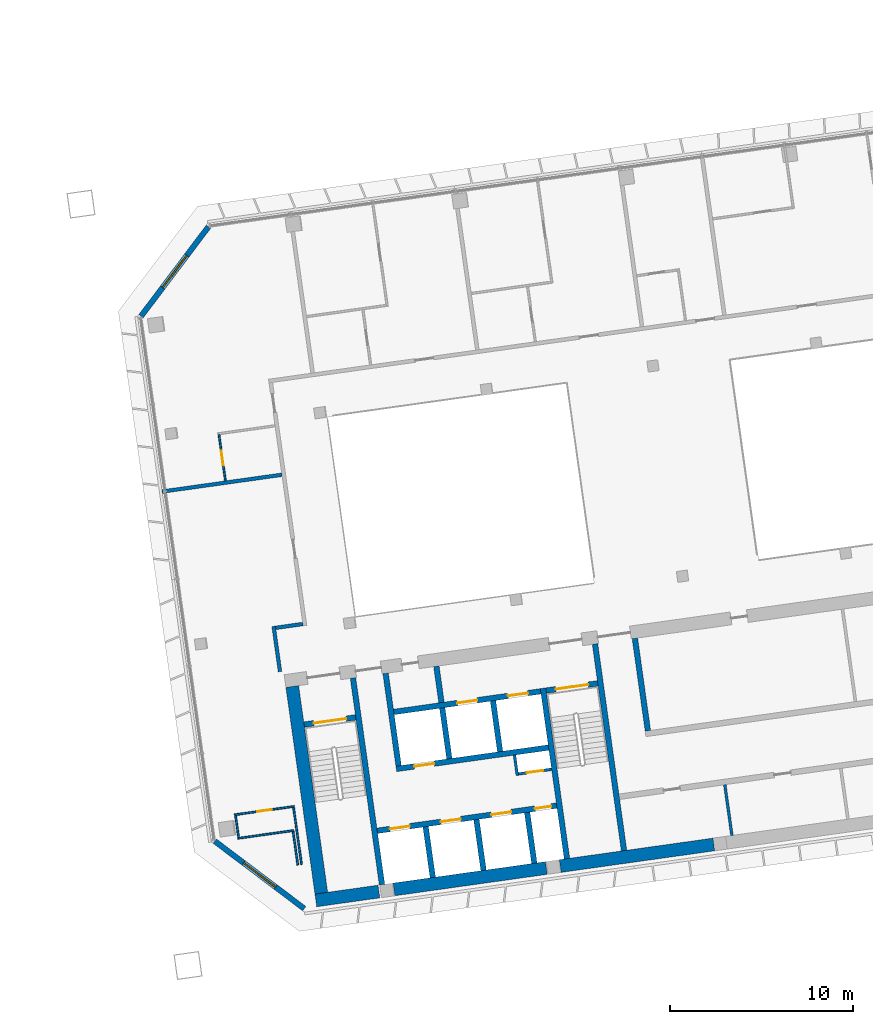
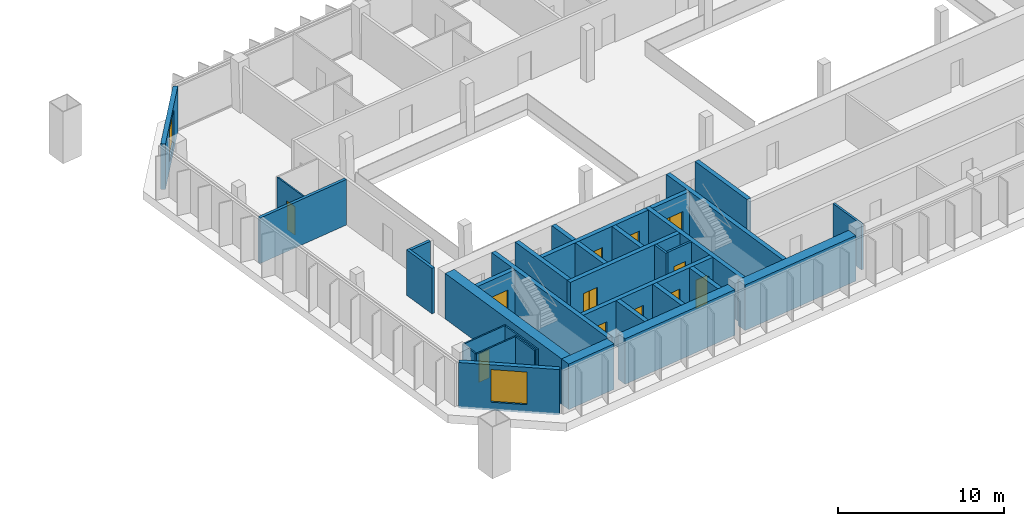
# One storey, part 19 of 25: 34 walls, 12 doors, 2 windows, 14 openings.
"""IFC4 building model written with IfcOpenShell, lengths in metres."""

from ifc_helpers import new_model, si_unit, direction, frame, frame_2d, origin, place, context, subcontext, project, spatial, rectangle, extrude, material, layer, layer_set, type_object, element, fill, save


model = new_model("IFC4")

# Units and contexts
model_context = context("Model", 3, precision=1e-05, world=origin(), true_north=direction((0.0, 1.0)))
body_context = subcontext(model_context, "Body", "Model", "MODEL_VIEW")
ifc_project = project(units=[si_unit("LENGTHUNIT", "METRE"), si_unit("AREAUNIT", "SQUARE_METRE"), si_unit("VOLUMEUNIT", "CUBIC_METRE"), si_unit("PLANEANGLEUNIT", "RADIAN"), si_unit("MASSUNIT", "GRAM", prefix="KILO")], contexts=[model_context])

# Site, building, storey
site_placement = place(None, origin())
site = spatial("IfcSite", under=ifc_project, at=site_placement, CompositionType="ELEMENT")
building_placement = place(site_placement, origin())
building = spatial("IfcBuilding", under=site, at=building_placement, Name="Mirante Cascada Hotel Towers", CompositionType="ELEMENT")
storey_placement = place(building_placement, frame((0.0, 0.0, 172.6)))
storey = spatial("IfcBuildingStorey", under=building, at=storey_placement, Name="L40", CompositionType="ELEMENT", Elevation=172.6)

# Walls
ifc_material_1 = material(Name="Fire-rated plasterboard on metal studs")
ifc_layer_1 = layer(ifc_material_1, 0.2)
ifc_layer_set_1 = layer_set([ifc_layer_1], Name="Compartment wall 200 EI 120")
wall_type_1 = type_object("IfcWallType", Name="Compartment wall 200 EI 120", PredefinedType="PARTITIONING", material=ifc_layer_set_1)
wall_1_placement = place(storey_placement, frame((35.0284, -4.7267, 0.0), z_axis=(0.0, 0.0, 1.0), x_axis=(0.9902735, 0.1391343, 0.0)))
element("IfcWall", 1, at=wall_1_placement, inside=storey, type_object=wall_type_1, Name="Wall 2-L40-05", PredefinedType="PARTITIONING", context=body_context, shape_type="SweptSolid", body=[
    extrude(rectangle(XDim=1.5, YDim=0.2, at=frame_2d((0.75, 0.0))), origin(), (0.0, 0.0, 1.0), 3.35),
])
wall_2_placement = place(storey_placement, frame((35.368, 3.6352, 0.0), z_axis=(0.0, 0.0, 1.0), x_axis=(-0.9902678, -0.1391748, 0.0)))
element("IfcWall", 2, at=wall_2_placement, inside=storey, type_object=wall_type_1, Name="Wall 2-L40-10", PredefinedType="PARTITIONING", context=body_context, shape_type="SweptSolid", body=[
    extrude(rectangle(XDim=6.6068, YDim=0.2, at=frame_2d((3.3034, 0.0))), origin(), (0.0, 0.0, 1.0), 3.35),
])
wall_3_placement = place(storey_placement, frame((35.2634, -7.1173, 0.0), z_axis=(0.0, 0.0, 1.0), x_axis=(-0.1391586, 0.9902701, 0.0)))
element("IfcWall", 3, at=wall_3_placement, inside=storey, type_object=wall_type_1, Name="Wall 2-L40-25", PredefinedType="PARTITIONING", context=body_context, shape_type="SweptSolid", body=[
    extrude(rectangle(XDim=2.5, YDim=0.2, at=frame_2d((1.25, 0.0))), origin(), (0.0, 0.0, 1.0), 3.35),
])
ifc_material_2 = material(Name="Masonry block", Category="masonry")
ifc_layer_2 = layer(ifc_material_2, 0.15)
ifc_layer_set_2 = layer_set([ifc_layer_2], Name="Core room partition 150 block EI 30")
wall_type_2 = type_object("IfcWallType", Name="Core room partition 150 block EI 30", PredefinedType="PARTITIONING", material=ifc_layer_set_2)
wall_4_placement = place(storey_placement, frame((48.2295, -12.793, 0.0), z_axis=(0.0, 0.0, 1.0), x_axis=(-0.1391935, 0.9902652, 0.0)))
element("IfcWall", 4, at=wall_4_placement, inside=storey, type_object=wall_type_2, Name="Core wall partition T2 L40 2", PredefinedType="PARTITIONING", context=body_context, shape_type="SweptSolid", body=[
    extrude(rectangle(XDim=1.1251, YDim=0.15, at=frame_2d((0.5626, 0.0))), origin(), (0.0, 0.0, 1.0), 3.35),
])

# Wall, opening, door
wall_5_placement = place(storey_placement, frame((48.2933, -12.7083, 0.0), z_axis=(0.0, 0.0, 1.0), x_axis=(0.990268, 0.1391734, 0.0)))
wall_5 = element("IfcWall", 5, at=wall_5_placement, inside=storey, type_object=wall_type_2, Name="Core wall partition T2 L40 3", PredefinedType="PARTITIONING", context=body_context, shape_type="SweptSolid", body=[
    extrude(rectangle(XDim=1.8251, YDim=0.15, at=frame_2d((0.9126, 0.0))), origin(), (0.0, 0.0, 1.0), 3.35),
])
opening_1_placement = place(wall_5_placement, frame((0.4625, 0.0, 0.0)))
opening_1 = element("IfcOpeningElement", 6, at=opening_1_placement, cuts=wall_5, Name="Opening D2-40-C17", PredefinedType="OPENING", context=body_context, shape_type="SweptSolid", body=[
    extrude(rectangle(XDim=0.9, YDim=2.1, at=frame_2d((0.45, 1.05))), frame((0.0, 0.075, 0.0), z_axis=(0.0, -1.0, 0.0), x_axis=(1.0, 0.0, 0.0)), (0.0, 0.0, 1.0), 0.15),
])
ifc_material_3 = material(Name="Hollow metal fire door leaf")
door_type_1 = type_object("IfcDoorType", Name="Fire door 900x2100 FD60", OperationType="NOTDEFINED", PredefinedType="DOOR", material=ifc_material_3)
door_1_placement = place(opening_1_placement, frame((0.9, 0.0, 0.0), z_axis=(0.0, 0.0, 1.0), x_axis=(-1.0, 0.0, 0.0)))
door_1 = element("IfcDoor", 7, at=door_1_placement, inside=storey, type_object=door_type_1, Name="Riser door T2 L40 17", OperationType="SINGLE_SWING_RIGHT", OverallHeight=2.1, OverallWidth=0.9, PredefinedType="DOOR", context=body_context, shape_type="SweptSolid", body=[
    extrude(rectangle(XDim=0.9, YDim=2.1, at=frame_2d((0.45, 1.05))), frame((0.0, 0.025, 0.0), z_axis=(0.0, -1.0, 0.0), x_axis=(1.0, 0.0, 0.0)), (0.0, 0.0, 1.0), 0.05),
])
fill(opening_1, door_1)

# Walls
wall_6_placement = place(storey_placement, frame((59.9495, -16.0688, 0.0), z_axis=(0.0, 0.0, 1.0), x_axis=(-0.139176, 0.9902677, 0.0)))
element("IfcWall", 8, at=wall_6_placement, inside=storey, type_object=wall_type_2, Name="Core wall partition T2 L40 5", PredefinedType="PARTITIONING", context=body_context, shape_type="SweptSolid", body=[
    extrude(rectangle(XDim=2.8001, YDim=0.15, at=frame_2d((1.4, 0.0))), origin(), (0.0, 0.0, 1.0), 3.35),
])
ifc_material_4 = material(Name="Masonry block", Category="masonry")
ifc_layer_3 = layer(ifc_material_4, 0.3)
ifc_layer_set_3 = layer_set([ifc_layer_3], Name="Core wall 300 block EI 120")
wall_type_3 = type_object("IfcWallType", Name="Core wall 300 block EI 120", PredefinedType="PARTITIONING", material=ifc_layer_set_3)
wall_7_placement = place(storey_placement, frame((44.0843, -8.8061, 0.0), z_axis=(0.0, 0.0, 1.0), x_axis=(-0.1391951, 0.990265, 0.0)))
element("IfcWall", 9, at=wall_7_placement, inside=storey, type_object=wall_type_3, Name="Core wall partition T2 L40 1", PredefinedType="PARTITIONING", context=body_context, shape_type="SweptSolid", body=[
    extrude(rectangle(XDim=2.0001, YDim=0.3, at=frame_2d((1.0001, 0.0))), origin(), (0.0, 0.0, 1.0), 3.35),
])
ifc_material_5 = material(Name="Plasterboard on metal studs")
ifc_layer_4 = layer(ifc_material_5, 0.1)
ifc_layer_set_4 = layer_set([ifc_layer_4], Name="Partition 100")
wall_type_4 = type_object("IfcWallType", Name="Partition 100", PredefinedType="PARTITIONING", material=ifc_layer_set_4)
wall_8_placement = place(storey_placement, frame((32.9588, -16.2267, 0.0), z_axis=(0.0, 0.0, 1.0), x_axis=(0.9902677, 0.1391761, 0.0)))
element("IfcWall", 10, at=wall_8_placement, inside=storey, type_object=wall_type_4, Name="Wall 2-L40-01", PredefinedType="PARTITIONING", context=body_context, shape_type="SweptSolid", body=[
    extrude(rectangle(XDim=3.0932, YDim=0.1, at=frame_2d((1.5466, 0.0))), origin(), (0.0, 0.0, 1.0), 3.35),
])

# Wall, opening, door
wall_9_placement = place(storey_placement, frame((32.7778, -14.9393, 0.0), z_axis=(0.0, 0.0, 1.0), x_axis=(0.9902711, 0.1391513, 0.0)))
wall_9 = element("IfcWall", 11, at=wall_9_placement, inside=storey, type_object=wall_type_4, Name="Wall 2-L40-03", PredefinedType="PARTITIONING", context=body_context, shape_type="SweptSolid", body=[
    extrude(rectangle(XDim=3.3, YDim=0.1, at=frame_2d((1.65, 0.0))), origin(), (0.0, 0.0, 1.0), 3.35),
])
opening_2_placement = place(wall_9_placement, frame((1.25, 0.0, 0.0)))
opening_2 = element("IfcOpeningElement", 12, at=opening_2_placement, cuts=wall_9, Name="Opening D2-L40-01", PredefinedType="OPENING", context=body_context, shape_type="SweptSolid", body=[
    extrude(rectangle(XDim=0.8, YDim=2.1, at=frame_2d((0.4, 1.05))), frame((0.0, 0.05, 0.0), z_axis=(0.0, -1.0, 0.0), x_axis=(1.0, 0.0, 0.0)), (0.0, 0.0, 1.0), 0.1),
])
ifc_material_6 = material(Name="Timber door leaf", Category="wood")
door_type_2 = type_object("IfcDoorType", Name="Bathroom door DG4 800x2100", OperationType="SINGLE_SWING_LEFT", PredefinedType="DOOR", material=ifc_material_6)
door_2_placement = place(opening_2_placement, origin())
door_2 = element("IfcDoor", 13, at=door_2_placement, inside=storey, type_object=door_type_2, Name="Door D2-L40-01", OperationType="SINGLE_SWING_LEFT", OverallHeight=2.1, OverallWidth=0.8, PredefinedType="DOOR", context=body_context, shape_type="SweptSolid", body=[
    extrude(rectangle(XDim=0.8, YDim=2.1, at=frame_2d((0.4, 1.05))), frame((0.0, 0.025, 0.0), z_axis=(0.0, -1.0, 0.0), x_axis=(1.0, 0.0, 0.0)), (0.0, 0.0, 1.0), 0.05),
])
fill(opening_2, door_2)

# Wall
wall_10_placement = place(storey_placement, frame((33.0013, -16.1702, 0.0), z_axis=(0.0, 0.0, 1.0), x_axis=(-0.1391693, 0.9902686, 0.0)))
element("IfcWall", 14, at=wall_10_placement, inside=storey, type_object=wall_type_4, Name="Wall 2-L40-21", PredefinedType="PARTITIONING", context=body_context, shape_type="SweptSolid", body=[
    extrude(rectangle(XDim=1.2, YDim=0.1, at=frame_2d((0.6, 0.0))), origin(), (0.0, 0.0, 1.0), 3.35),
])

# Wall, opening, door
wall_11_placement = place(storey_placement, frame((31.9293, 5.828, 0.0), z_axis=(0.0, 0.0, 1.0), x_axis=(0.1391755, -0.9902677, 0.0)))
wall_11 = element("IfcWall", 15, at=wall_11_placement, inside=storey, type_object=wall_type_4, Name="Wall 2-L40-22", PredefinedType="PARTITIONING", context=body_context, shape_type="SweptSolid", body=[
    extrude(rectangle(XDim=2.55, YDim=0.1, at=frame_2d((1.275, 0.0))), origin(), (0.0, 0.0, 1.0), 3.35),
])
opening_3_placement = place(wall_11_placement, frame((0.9, 0.0, 0.0)))
opening_3 = element("IfcOpeningElement", 16, at=opening_3_placement, cuts=wall_11, Name="Opening D2-L40-16", PredefinedType="OPENING", context=body_context, shape_type="SweptSolid", body=[
    extrude(rectangle(XDim=0.8, YDim=2.1, at=frame_2d((0.4, 1.05))), frame((0.0, 0.05, 0.0), z_axis=(0.0, -1.0, 0.0), x_axis=(1.0, 0.0, 0.0)), (0.0, 0.0, 1.0), 0.1),
])
door_3_placement = place(opening_3_placement, origin())
door_3 = element("IfcDoor", 17, at=door_3_placement, inside=storey, type_object=door_type_2, Name="Door D2-L40-16", OperationType="SINGLE_SWING_LEFT", OverallHeight=2.1, OverallWidth=0.8, PredefinedType="DOOR", context=body_context, shape_type="SweptSolid", body=[
    extrude(rectangle(XDim=0.8, YDim=2.1, at=frame_2d((0.4, 1.05))), frame((0.0, 0.025, 0.0), z_axis=(0.0, -1.0, 0.0), x_axis=(1.0, 0.0, 0.0)), (0.0, 0.0, 1.0), 0.05),
])
fill(opening_3, door_3)

# Walls
wall_12_placement = place(storey_placement, frame((36.2368, -17.6847, 0.0), z_axis=(0.0, 0.0, 1.0), x_axis=(-0.1391886, 0.9902659, 0.0)))
element("IfcWall", 18, at=wall_12_placement, inside=storey, type_object=wall_type_4, Name="Wall 2-L40-23", PredefinedType="PARTITIONING", context=body_context, shape_type="SweptSolid", body=[
    extrude(rectangle(XDim=1.85, YDim=0.1, at=frame_2d((0.925, 0.0))), origin(), (0.0, 0.0, 1.0), 3.35),
])
wall_13_placement = place(storey_placement, frame((36.0032, -14.5365, 0.0), z_axis=(0.0, 0.0, 1.0), x_axis=(0.1391721, -0.9902682, 0.0)))
element("IfcWall", 19, at=wall_13_placement, inside=storey, type_object=wall_type_4, Name="Wall 2-L40-24", PredefinedType="PARTITIONING", context=body_context, shape_type="SweptSolid", body=[
    extrude(rectangle(XDim=3.1501, YDim=0.1, at=frame_2d((1.575, 0.0))), origin(), (0.0, 0.0, 1.0), 3.35),
])

# Wall, opening, window
ifc_material_7 = material(Name="Precast concrete C40/50", Category="concrete")
ifc_layer_5 = layer(ifc_material_7, 0.3)
ifc_layer_set_5 = layer_set([ifc_layer_5], Name="Precast concrete C40/50 cladding wall 300")
wall_type_5 = type_object("IfcWallType", Name="Precast concrete C40/50 cladding wall 300", PredefinedType="STANDARD", material=ifc_layer_set_5)
wall_14_placement = place(storey_placement, frame((31.3552, 17.1814, 0.0), z_axis=(0.0, 0.0, 1.0), x_axis=(-0.6018141, -0.7986362, 0.0)))
wall_14 = element("IfcWall", 20, at=wall_14_placement, inside=storey, type_object=wall_type_5, Name="Corner cladding wall T2 L40 front inner", PredefinedType="STANDARD", context=body_context, shape_type="SweptSolid", body=[
    extrude(rectangle(XDim=6.1157, YDim=0.3, at=frame_2d((3.0578, 0.0))), origin(), (0.0, 0.0, 1.0), 3.35),
])
opening_4_placement = place(wall_14_placement, frame((1.9578, 0.0, 0.6)))
opening_4 = element("IfcOpeningElement", 21, at=opening_4_placement, cuts=wall_14, Name="Opening W2-40-03", PredefinedType="OPENING", context=body_context, shape_type="SweptSolid", body=[
    extrude(rectangle(XDim=2.2, YDim=2.4, at=frame_2d((1.1, 1.2))), frame((0.0, 0.15, 0.0), z_axis=(0.0, -1.0, 0.0), x_axis=(1.0, 0.0, 0.0)), (0.0, 0.0, 1.0), 0.3),
])
ifc_material_8 = material(Name="Aluminium frame with clear double glazing", Category="aluminium")
window_type = type_object("IfcWindowType", Name="Corner suite window 2200x2400", PartitioningType="DOUBLE_PANEL_VERTICAL", PredefinedType="WINDOW", material=ifc_material_8)
window_1_placement = place(opening_4_placement, origin())
window_1 = element("IfcWindow", 22, at=window_1_placement, inside=storey, type_object=window_type, Name="Window W2-40-03", OverallHeight=2.4, OverallWidth=2.2, PartitioningType="SINGLE_PANEL", PredefinedType="WINDOW", context=body_context, shape_type="SweptSolid", body=[
    extrude(rectangle(XDim=2.2, YDim=2.4, at=frame_2d((1.1, 1.2))), frame((0.0, 0.03, 0.0), z_axis=(0.0, -1.0, 0.0), x_axis=(1.0, 0.0, 0.0)), (0.0, 0.0, 1.0), 0.06),
])
fill(opening_4, window_1)

wall_15_placement = place(storey_placement, frame((31.7056, -16.3843, 0.0), z_axis=(0.0, 0.0, 1.0), x_axis=(0.7986362, -0.6018141, 0.0)))
wall_15 = element("IfcWall", 23, at=wall_15_placement, inside=storey, type_object=wall_type_5, Name="Corner cladding wall T2 L40 inner rear", PredefinedType="STANDARD", context=body_context, shape_type="SweptSolid", body=[
    extrude(rectangle(XDim=6.1157, YDim=0.3, at=frame_2d((3.0578, 0.0))), origin(), (0.0, 0.0, 1.0), 3.35),
])
opening_5_placement = place(wall_15_placement, frame((1.9578, 0.0, 0.6)))
opening_5 = element("IfcOpeningElement", 24, at=opening_5_placement, cuts=wall_15, Name="Opening W2-40-04", PredefinedType="OPENING", context=body_context, shape_type="SweptSolid", body=[
    extrude(rectangle(XDim=2.2, YDim=2.4, at=frame_2d((1.1, 1.2))), frame((0.0, 0.15, 0.0), z_axis=(0.0, -1.0, 0.0), x_axis=(1.0, 0.0, 0.0)), (0.0, 0.0, 1.0), 0.3),
])
window_2_placement = place(opening_5_placement, origin())
window_2 = element("IfcWindow", 25, at=window_2_placement, inside=storey, type_object=window_type, Name="Window W2-40-04", OverallHeight=2.4, OverallWidth=2.2, PartitioningType="SINGLE_PANEL", PredefinedType="WINDOW", context=body_context, shape_type="SweptSolid", body=[
    extrude(rectangle(XDim=2.2, YDim=2.4, at=frame_2d((1.1, 1.2))), frame((0.0, 0.03, 0.0), z_axis=(0.0, -1.0, 0.0), x_axis=(1.0, 0.0, 0.0)), (0.0, 0.0, 1.0), 0.06),
])
fill(opening_5, window_2)

# Walls
ifc_material_9 = material(Name="Concrete C50/60", Category="concrete")
ifc_layer_6 = layer(ifc_material_9, 0.3)
ifc_layer_set_6 = layer_set([ifc_layer_6], Name="RC core wall 300 C50/60")
wall_type_6 = type_object("IfcWallType", Name="RC core wall 300 C50/60", PredefinedType="SHEAR", material=ifc_layer_set_6)
wall_16_placement = place(storey_placement, frame((40.8373, -18.7548, 0.0), z_axis=(0.0, 0.0, 1.0), x_axis=(-0.1391749, 0.9902678, 0.0)))
element("IfcWall", 26, at=wall_16_placement, inside=storey, type_object=wall_type_6, Name="Core wall T2:L40:5", PredefinedType="SHEAR", context=body_context, shape_type="SweptSolid", body=[
    extrude(rectangle(XDim=11.4, YDim=0.3, at=frame_2d((5.7, 0.0))), origin(), (0.0, 0.0, 1.0), 3.35),
])
wall_17_placement = place(storey_placement, frame((50.938, -17.3352, 0.0), z_axis=(0.0, 0.0, 1.0), x_axis=(-0.1391706, 0.9902684, 0.0)))
element("IfcWall", 27, at=wall_17_placement, inside=storey, type_object=wall_type_6, Name="Core wall T2:L40:6", PredefinedType="SHEAR", context=body_context, shape_type="SweptSolid", body=[
    extrude(rectangle(XDim=9.4, YDim=0.3, at=frame_2d((4.7, 0.0))), origin(), (0.0, 0.0, 1.0), 3.35),
])
wall_18_placement = place(storey_placement, frame((54.0574, -16.8968, 0.0), z_axis=(0.0, 0.0, 1.0), x_axis=(-0.1391761, 0.9902677, 0.0)))
element("IfcWall", 28, at=wall_18_placement, inside=storey, type_object=wall_type_6, Name="Core wall T2:L40:7", PredefinedType="SHEAR", context=body_context, shape_type="SweptSolid", body=[
    extrude(rectangle(XDim=11.3999, YDim=0.3, at=frame_2d((5.7, 0.0))), origin(), (0.0, 0.0, 1.0), 3.35),
])

# Wall, opening, door
wall_19_placement = place(storey_placement, frame((36.5791, -10.0123, 0.0), z_axis=(0.0, 0.0, 1.0), x_axis=(0.9902704, 0.1391564, 0.0)))
wall_19 = element("IfcWall", 29, at=wall_19_placement, inside=storey, type_object=wall_type_6, Name="Core wall T2:L40:9", PredefinedType="SHEAR", context=body_context, shape_type="SweptSolid", body=[
    extrude(rectangle(XDim=2.85, YDim=0.3, at=frame_2d((1.425, 0.0))), origin(), (0.0, 0.0, 1.0), 3.35),
])
opening_6_placement = place(wall_19_placement, frame((0.525, 0.0, 0.0)))
opening_6 = element("IfcOpeningElement", 30, at=opening_6_placement, cuts=wall_19, Name="Opening D2-40-C07", PredefinedType="OPENING", context=body_context, shape_type="SweptSolid", body=[
    extrude(rectangle(XDim=1.8, YDim=2.1, at=frame_2d((0.9, 1.05))), frame((0.0, 0.15, 0.0), z_axis=(0.0, -1.0, 0.0), x_axis=(1.0, 0.0, 0.0)), (0.0, 0.0, 1.0), 0.3),
])
ifc_material_10 = material(Name="Hollow metal fire door leaf")
door_type_3 = type_object("IfcDoorType", Name="Double fire door 1800x2100 FD60", OperationType="DOUBLE_DOOR_SINGLE_SWING", PredefinedType="DOOR", material=ifc_material_10)
door_4_placement = place(opening_6_placement, frame((1.8, 0.0, 0.0), z_axis=(0.0, 0.0, 1.0), x_axis=(-1.0, 0.0, 0.0)))
door_4 = element("IfcDoor", 31, at=door_4_placement, inside=storey, type_object=door_type_3, Name="Stair door T2 L40 7", OperationType="DOUBLE_DOOR_SINGLE_SWING", OverallHeight=2.1, OverallWidth=1.8, PredefinedType="DOOR", context=body_context, shape_type="SweptSolid", body=[
    extrude(rectangle(XDim=0.895, YDim=2.1, at=frame_2d((0.4475, 1.05))), frame((0.0, 0.025, 0.0), z_axis=(0.0, -1.0, 0.0), x_axis=(1.0, 0.0, 0.0)), (0.0, 0.0, 1.0), 0.05),
    extrude(rectangle(XDim=0.895, YDim=2.1, at=frame_2d((1.3525, 1.05))), frame((0.0, 0.025, 0.0), z_axis=(0.0, -1.0, 0.0), x_axis=(1.0, 0.0, 0.0)), (0.0, 0.0, 1.0), 0.05),
])
fill(opening_6, door_4)

wall_20_placement = place(storey_placement, frame((49.7992, -8.1544, 0.0), z_axis=(0.0, 0.0, 1.0), x_axis=(0.9902656, 0.1391909, 0.0)))
wall_20 = element("IfcWall", 32, at=wall_20_placement, inside=storey, type_object=wall_type_6, Name="Core wall T2:L40:10", PredefinedType="SHEAR", context=body_context, shape_type="SweptSolid", body=[
    extrude(rectangle(XDim=2.85, YDim=0.3, at=frame_2d((1.425, 0.0))), origin(), (0.0, 0.0, 1.0), 3.35),
])
opening_7_placement = place(wall_20_placement, frame((0.525, 0.0, 0.0)))
opening_7 = element("IfcOpeningElement", 33, at=opening_7_placement, cuts=wall_20, Name="Opening D2-40-C09", PredefinedType="OPENING", context=body_context, shape_type="SweptSolid", body=[
    extrude(rectangle(XDim=1.8, YDim=2.1, at=frame_2d((0.9, 1.05))), frame((0.0, 0.15, 0.0), z_axis=(0.0, -1.0, 0.0), x_axis=(1.0, 0.0, 0.0)), (0.0, 0.0, 1.0), 0.3),
])
door_5_placement = place(opening_7_placement, frame((1.8, 0.0, 0.0), z_axis=(0.0, 0.0, 1.0), x_axis=(-1.0, 0.0, 0.0)))
door_5 = element("IfcDoor", 34, at=door_5_placement, inside=storey, type_object=door_type_3, Name="Stair door T2 L40 9", OperationType="DOUBLE_DOOR_SINGLE_SWING", OverallHeight=2.1, OverallWidth=1.8, PredefinedType="DOOR", context=body_context, shape_type="SweptSolid", body=[
    extrude(rectangle(XDim=0.895, YDim=2.1, at=frame_2d((0.4475, 1.05))), frame((0.0, 0.025, 0.0), z_axis=(0.0, -1.0, 0.0), x_axis=(1.0, 0.0, 0.0)), (0.0, 0.0, 1.0), 0.05),
    extrude(rectangle(XDim=0.895, YDim=2.1, at=frame_2d((1.3525, 1.05))), frame((0.0, 0.025, 0.0), z_axis=(0.0, -1.0, 0.0), x_axis=(1.0, 0.0, 0.0)), (0.0, 0.0, 1.0), 0.05),
])
fill(opening_7, door_5)

# Wall, openings, doors
wall_21_placement = place(storey_placement, frame((40.5753, -15.8126, 0.0), z_axis=(0.0, 0.0, 1.0), x_axis=(0.9902682, 0.1391725, 0.0)))
wall_21 = element("IfcWall", 35, at=wall_21_placement, inside=storey, type_object=wall_type_6, Name="Core wall T2:L40:12", PredefinedType="SHEAR", context=body_context, shape_type="SweptSolid", body=[
    extrude(rectangle(XDim=9.8999, YDim=0.3, at=frame_2d((4.95, 0.0))), origin(), (0.0, 0.0, 1.0), 3.35),
])
opening_8_placement = place(wall_21_placement, frame((0.7, 0.0, 0.0)))
opening_8 = element("IfcOpeningElement", 36, at=opening_8_placement, cuts=wall_21, Name="Opening LD", PredefinedType="OPENING", context=body_context, shape_type="SweptSolid", body=[
    extrude(rectangle(XDim=1.1, YDim=2.1, at=frame_2d((0.55, 1.05))), frame((0.0, 0.15, 0.0), z_axis=(0.0, -1.0, 0.0), x_axis=(1.0, 0.0, 0.0)), (0.0, 0.0, 1.0), 0.3),
])
opening_9_placement = place(wall_21_placement, frame((3.5, 0.0, 0.0)))
opening_9 = element("IfcOpeningElement", 37, at=opening_9_placement, cuts=wall_21, Name="Opening LD", PredefinedType="OPENING", context=body_context, shape_type="SweptSolid", body=[
    extrude(rectangle(XDim=1.1, YDim=2.1, at=frame_2d((0.55, 1.05))), frame((0.0, 0.15, 0.0), z_axis=(0.0, -1.0, 0.0), x_axis=(1.0, 0.0, 0.0)), (0.0, 0.0, 1.0), 0.3),
])
opening_10_placement = place(wall_21_placement, frame((6.3, 0.0, 0.0)))
opening_10 = element("IfcOpeningElement", 38, at=opening_10_placement, cuts=wall_21, Name="Opening LD", PredefinedType="OPENING", context=body_context, shape_type="SweptSolid", body=[
    extrude(rectangle(XDim=1.1, YDim=2.1, at=frame_2d((0.55, 1.05))), frame((0.0, 0.15, 0.0), z_axis=(0.0, -1.0, 0.0), x_axis=(1.0, 0.0, 0.0)), (0.0, 0.0, 1.0), 0.3),
])
opening_11_placement = place(wall_21_placement, frame((8.7, 0.0, 0.0)))
opening_11 = element("IfcOpeningElement", 39, at=opening_11_placement, cuts=wall_21, Name="Opening D2-40-C16", PredefinedType="OPENING", context=body_context, shape_type="SweptSolid", body=[
    extrude(rectangle(XDim=0.9, YDim=2.1, at=frame_2d((0.45, 1.05))), frame((0.0, 0.15, 0.0), z_axis=(0.0, -1.0, 0.0), x_axis=(1.0, 0.0, 0.0)), (0.0, 0.0, 1.0), 0.3),
])
door_6_placement = place(opening_11_placement, frame((0.9, 0.0, 0.0), z_axis=(0.0, 0.0, 1.0), x_axis=(-1.0, 0.0, 0.0)))
door_6 = element("IfcDoor", 40, at=door_6_placement, inside=storey, type_object=door_type_1, Name="Riser door T2 L40 16", OperationType="SINGLE_SWING_RIGHT", OverallHeight=2.1, OverallWidth=0.9, PredefinedType="DOOR", context=body_context, shape_type="SweptSolid", body=[
    extrude(rectangle(XDim=0.9, YDim=2.1, at=frame_2d((0.45, 1.05))), frame((0.0, 0.025, 0.0), z_axis=(0.0, -1.0, 0.0), x_axis=(1.0, 0.0, 0.0)), (0.0, 0.0, 1.0), 0.05),
])
fill(opening_11, door_6)
ifc_material_11 = material(Name="Stainless steel", Category="steel")
door_type_4 = type_object("IfcDoorType", Name="Lift landing door 1100x2100 EI 120", OperationType="DOUBLE_DOOR_SLIDING", PredefinedType="DOOR", material=ifc_material_11)
door_7_placement = place(opening_8_placement, origin())
door_7 = element("IfcDoor", 41, at=door_7_placement, inside=storey, type_object=door_type_4, Name="Lift landing door HR2-1 L40", OperationType="DOUBLE_DOOR_SLIDING", OverallHeight=2.1, OverallWidth=1.1, PredefinedType="DOOR", context=body_context, shape_type="SweptSolid", body=[
    extrude(rectangle(XDim=0.545, YDim=2.1, at=frame_2d((0.2725, 1.05))), frame((0.0, 0.025, 0.0), z_axis=(0.0, -1.0, 0.0), x_axis=(1.0, 0.0, 0.0)), (0.0, 0.0, 1.0), 0.05),
    extrude(rectangle(XDim=0.545, YDim=2.1, at=frame_2d((0.8275, 1.05))), frame((0.0, 0.025, 0.0), z_axis=(0.0, -1.0, 0.0), x_axis=(1.0, 0.0, 0.0)), (0.0, 0.0, 1.0), 0.05),
])
fill(opening_8, door_7)
door_8_placement = place(opening_9_placement, origin())
door_8 = element("IfcDoor", 42, at=door_8_placement, inside=storey, type_object=door_type_4, Name="Lift landing door HR2-2 L40", OperationType="DOUBLE_DOOR_SLIDING", OverallHeight=2.1, OverallWidth=1.1, PredefinedType="DOOR", context=body_context, shape_type="SweptSolid", body=[
    extrude(rectangle(XDim=0.545, YDim=2.1, at=frame_2d((0.2725, 1.05))), frame((0.0, 0.025, 0.0), z_axis=(0.0, -1.0, 0.0), x_axis=(1.0, 0.0, 0.0)), (0.0, 0.0, 1.0), 0.05),
    extrude(rectangle(XDim=0.545, YDim=2.1, at=frame_2d((0.8275, 1.05))), frame((0.0, 0.025, 0.0), z_axis=(0.0, -1.0, 0.0), x_axis=(1.0, 0.0, 0.0)), (0.0, 0.0, 1.0), 0.05),
])
fill(opening_9, door_8)
door_9_placement = place(opening_10_placement, origin())
door_9 = element("IfcDoor", 43, at=door_9_placement, inside=storey, type_object=door_type_4, Name="Lift landing door HR2-3 L40", OperationType="DOUBLE_DOOR_SLIDING", OverallHeight=2.1, OverallWidth=1.1, PredefinedType="DOOR", context=body_context, shape_type="SweptSolid", body=[
    extrude(rectangle(XDim=0.545, YDim=2.1, at=frame_2d((0.2725, 1.05))), frame((0.0, 0.025, 0.0), z_axis=(0.0, -1.0, 0.0), x_axis=(1.0, 0.0, 0.0)), (0.0, 0.0, 1.0), 0.05),
    extrude(rectangle(XDim=0.545, YDim=2.1, at=frame_2d((0.8275, 1.05))), frame((0.0, 0.025, 0.0), z_axis=(0.0, -1.0, 0.0), x_axis=(1.0, 0.0, 0.0)), (0.0, 0.0, 1.0), 0.05),
])
fill(opening_10, door_9)

# Wall, opening, door
wall_22_placement = place(storey_placement, frame((41.6153, -12.435, 0.0), z_axis=(0.0, 0.0, 1.0), x_axis=(0.9902691, 0.139166, 0.0)))
wall_22 = element("IfcWall", 44, at=wall_22_placement, inside=storey, type_object=wall_type_6, Name="Core wall T2:L40:13", PredefinedType="SHEAR", context=body_context, shape_type="SweptSolid", body=[
    extrude(rectangle(XDim=8.4, YDim=0.3, at=frame_2d((4.2, 0.0))), origin(), (0.0, 0.0, 1.0), 3.35),
])
opening_12_placement = place(wall_22_placement, frame((1.0, 0.0, 0.0)))
opening_12 = element("IfcOpeningElement", 45, at=opening_12_placement, cuts=wall_22, Name="Opening LD", PredefinedType="OPENING", context=body_context, shape_type="SweptSolid", body=[
    extrude(rectangle(XDim=1.1, YDim=2.1, at=frame_2d((0.55, 1.05))), frame((0.0, 0.15, 0.0), z_axis=(0.0, -1.0, 0.0), x_axis=(1.0, 0.0, 0.0)), (0.0, 0.0, 1.0), 0.3),
])
door_10_placement = place(opening_12_placement, origin())
door_10 = element("IfcDoor", 46, at=door_10_placement, inside=storey, type_object=door_type_4, Name="Lift landing door HR2-4 L40", OperationType="DOUBLE_DOOR_SLIDING", OverallHeight=2.1, OverallWidth=1.1, PredefinedType="DOOR", context=body_context, shape_type="SweptSolid", body=[
    extrude(rectangle(XDim=0.545, YDim=2.1, at=frame_2d((0.2725, 1.05))), frame((0.0, 0.025, 0.0), z_axis=(0.0, -1.0, 0.0), x_axis=(1.0, 0.0, 0.0)), (0.0, 0.0, 1.0), 0.05),
    extrude(rectangle(XDim=0.545, YDim=2.1, at=frame_2d((0.8275, 1.05))), frame((0.0, 0.025, 0.0), z_axis=(0.0, -1.0, 0.0), x_axis=(1.0, 0.0, 0.0)), (0.0, 0.0, 1.0), 0.05),
])
fill(opening_12, door_10)

# Wall, openings, doors
wall_23_placement = place(storey_placement, frame((41.481, -9.3234, 0.0), z_axis=(0.0, 0.0, 1.0), x_axis=(0.9902679, 0.1391741, 0.0)))
wall_23 = element("IfcWall", 47, at=wall_23_placement, inside=storey, type_object=wall_type_6, Name="Core wall T2:L40:14", PredefinedType="SHEAR", context=body_context, shape_type="SweptSolid", body=[
    extrude(rectangle(XDim=8.0999, YDim=0.3, at=frame_2d((4.05, 0.0))), origin(), (0.0, 0.0, 1.0), 3.35),
])
opening_13_placement = place(wall_23_placement, frame((3.5, 0.0, 0.0)))
opening_13 = element("IfcOpeningElement", 48, at=opening_13_placement, cuts=wall_23, Name="Opening LD", PredefinedType="OPENING", context=body_context, shape_type="SweptSolid", body=[
    extrude(rectangle(XDim=1.1, YDim=2.1, at=frame_2d((0.55, 1.05))), frame((0.0, 0.15, 0.0), z_axis=(0.0, -1.0, 0.0), x_axis=(1.0, 0.0, 0.0)), (0.0, 0.0, 1.0), 0.3),
])
opening_14_placement = place(wall_23_placement, frame((6.3, 0.0, 0.0)))
opening_14 = element("IfcOpeningElement", 49, at=opening_14_placement, cuts=wall_23, Name="Opening LD", PredefinedType="OPENING", context=body_context, shape_type="SweptSolid", body=[
    extrude(rectangle(XDim=1.1, YDim=2.1, at=frame_2d((0.55, 1.05))), frame((0.0, 0.15, 0.0), z_axis=(0.0, -1.0, 0.0), x_axis=(1.0, 0.0, 0.0)), (0.0, 0.0, 1.0), 0.3),
])
door_11_placement = place(opening_13_placement, origin())
door_11 = element("IfcDoor", 50, at=door_11_placement, inside=storey, type_object=door_type_4, Name="Lift landing door FF3 L40", OperationType="DOUBLE_DOOR_SLIDING", OverallHeight=2.1, OverallWidth=1.1, PredefinedType="DOOR", context=body_context, shape_type="SweptSolid", body=[
    extrude(rectangle(XDim=0.545, YDim=2.1, at=frame_2d((0.2725, 1.05))), frame((0.0, 0.025, 0.0), z_axis=(0.0, -1.0, 0.0), x_axis=(1.0, 0.0, 0.0)), (0.0, 0.0, 1.0), 0.05),
    extrude(rectangle(XDim=0.545, YDim=2.1, at=frame_2d((0.8275, 1.05))), frame((0.0, 0.025, 0.0), z_axis=(0.0, -1.0, 0.0), x_axis=(1.0, 0.0, 0.0)), (0.0, 0.0, 1.0), 0.05),
])
fill(opening_13, door_11)
door_12_placement = place(opening_14_placement, origin())
door_12 = element("IfcDoor", 51, at=door_12_placement, inside=storey, type_object=door_type_4, Name="Lift landing door FF4 L40", OperationType="DOUBLE_DOOR_SLIDING", OverallHeight=2.1, OverallWidth=1.1, PredefinedType="DOOR", context=body_context, shape_type="SweptSolid", body=[
    extrude(rectangle(XDim=0.545, YDim=2.1, at=frame_2d((0.2725, 1.05))), frame((0.0, 0.025, 0.0), z_axis=(0.0, -1.0, 0.0), x_axis=(1.0, 0.0, 0.0)), (0.0, 0.0, 1.0), 0.05),
    extrude(rectangle(XDim=0.545, YDim=2.1, at=frame_2d((0.8275, 1.05))), frame((0.0, 0.025, 0.0), z_axis=(0.0, -1.0, 0.0), x_axis=(1.0, 0.0, 0.0)), (0.0, 0.0, 1.0), 0.05),
])
fill(opening_14, door_12)

# Walls
wall_24_placement = place(storey_placement, frame((43.61, -18.3651, 0.0), z_axis=(0.0, 0.0, 1.0), x_axis=(-0.1391459, 0.9902719, 0.0)))
element("IfcWall", 52, at=wall_24_placement, inside=storey, type_object=wall_type_6, Name="Core wall T2:L40:15", PredefinedType="SHEAR", context=body_context, shape_type="SweptSolid", body=[
    extrude(rectangle(XDim=2.7999, YDim=0.3, at=frame_2d((1.4, 0.0))), origin(), (0.0, 0.0, 1.0), 3.35),
])
wall_25_placement = place(storey_placement, frame((46.3828, -17.9754, 0.0), z_axis=(0.0, 0.0, 1.0), x_axis=(-0.139181, 0.990267, 0.0)))
element("IfcWall", 53, at=wall_25_placement, inside=storey, type_object=wall_type_6, Name="Core wall T2:L40:16", PredefinedType="SHEAR", context=body_context, shape_type="SweptSolid", body=[
    extrude(rectangle(XDim=2.8, YDim=0.3, at=frame_2d((1.4, 0.0))), origin(), (0.0, 0.0, 1.0), 3.35),
])
wall_26_placement = place(storey_placement, frame((49.1555, -17.5857, 0.0), z_axis=(0.0, 0.0, 1.0), x_axis=(-0.1391459, 0.9902719, 0.0)))
element("IfcWall", 54, at=wall_26_placement, inside=storey, type_object=wall_type_6, Name="Core wall T2:L40:17", PredefinedType="SHEAR", context=body_context, shape_type="SweptSolid", body=[
    extrude(rectangle(XDim=2.7999, YDim=0.3, at=frame_2d((1.4, 0.0))), origin(), (0.0, 0.0, 1.0), 3.35),
])
for number, where, z_axis, x_axis, name in (
    (55, (44.5157, -11.8759, 0.0), (0.0, 0.0, 1.0), (-0.139181, 0.990267, 0.0), "Core wall T2:L40:18"),
    (56, (47.2885, -11.4862, 0.0), (0.0, 0.0, 1.0), (-0.139181, 0.990267, 0.0), "Core wall T2:L40:19"),
):
    element("IfcWall", number, at=place(storey_placement, frame(where, z_axis=z_axis, x_axis=x_axis)), inside=storey, type_object=wall_type_6, Name=name, PredefinedType="SHEAR", context=body_context, shape_type="SweptSolid", body=[
        extrude(rectangle(XDim=2.8, YDim=0.3, at=frame_2d((1.4, 0.0))), origin(), (0.0, 0.0, 1.0), 3.35),
    ])
for number, where, z_axis, x_axis, name in (
    (57, (41.743, -12.2656, 0.0), (0.0, 0.0, 1.0), (-0.1391755, 0.9902677, 0.0), "Core wall T2:L40:20"),
    (58, (55.3592, -10.352, 0.0), (0.0, 0.0, 1.0), (-0.1391755, 0.9902677, 0.0), "Core wall T2:L40:30"),
):
    element("IfcWall", number, at=place(storey_placement, frame(where, z_axis=z_axis, x_axis=x_axis)), inside=storey, type_object=wall_type_6, Name=name, PredefinedType="SHEAR", context=body_context, shape_type="SweptSolid", body=[
        extrude(rectangle(XDim=5.1, YDim=0.3, at=frame_2d((2.55, 0.0))), origin(), (0.0, 0.0, 1.0), 3.35),
    ])
ifc_material_12 = material(Name="Concrete C50/60", Category="concrete")
ifc_layer_7 = layer(ifc_material_12, 0.7)
ifc_layer_set_7 = layer_set([ifc_layer_7], Name="RC core wall 700 C50/60")
wall_type_7 = type_object("IfcWallType", Name="RC core wall 700 C50/60", PredefinedType="SHEAR", material=ifc_layer_set_7)
wall_27_placement = place(storey_placement, frame((37.222, -19.6163, 0.0), z_axis=(0.0, 0.0, 1.0), x_axis=(0.9902697, 0.1391618, 0.0)))
element("IfcWall", 59, at=wall_27_placement, inside=storey, type_object=wall_type_7, Name="Core wall T2:L40:1.1", PredefinedType="SHEAR", context=body_context, shape_type="SweptSolid", body=[
    extrude(rectangle(XDim=3.4765, YDim=0.7, at=frame_2d((1.7382, 0.0))), origin(), (0.0, 0.0, 1.0), 3.35),
])
wall_28_placement = place(storey_placement, frame((41.4922, -19.0162, 0.0), z_axis=(0.0, 0.0, 1.0), x_axis=(0.9902681, 0.1391729, 0.0)))
element("IfcWall", 60, at=wall_28_placement, inside=storey, type_object=wall_type_7, Name="Core wall T2:L40:1.2", PredefinedType="SHEAR", context=body_context, shape_type="SweptSolid", body=[
    extrude(rectangle(XDim=8.4011, YDim=0.7, at=frame_2d((4.2006, 0.0))), origin(), (0.0, 0.0, 1.0), 3.35),
])
wall_29_placement = place(storey_placement, frame((50.5719, -17.7401, 0.0), z_axis=(0.0, 0.0, 1.0), x_axis=(0.9902688, 0.1391678, 0.0)))
element("IfcWall", 61, at=wall_29_placement, inside=storey, type_object=wall_type_7, Name="Core wall T2:L40:1.3", PredefinedType="SHEAR", context=body_context, shape_type="SweptSolid", body=[
    extrude(rectangle(XDim=8.4689, YDim=0.7, at=frame_2d((4.2344, 0.0))), origin(), (0.0, 0.0, 1.0), 3.35),
])
wall_30_placement = place(storey_placement, frame((37.5199, -19.221, 0.0), z_axis=(0.0, 0.0, 1.0), x_axis=(-0.1391761, 0.9902677, 0.0)))
element("IfcWall", 62, at=wall_30_placement, inside=storey, type_object=wall_type_7, Name="Core wall T2:L40:3", PredefinedType="SHEAR", context=body_context, shape_type="SweptSolid", body=[
    extrude(rectangle(XDim=11.3999, YDim=0.7, at=frame_2d((5.7, 0.0))), origin(), (0.0, 0.0, 1.0), 3.35),
])

save(model, "model.ifc")
